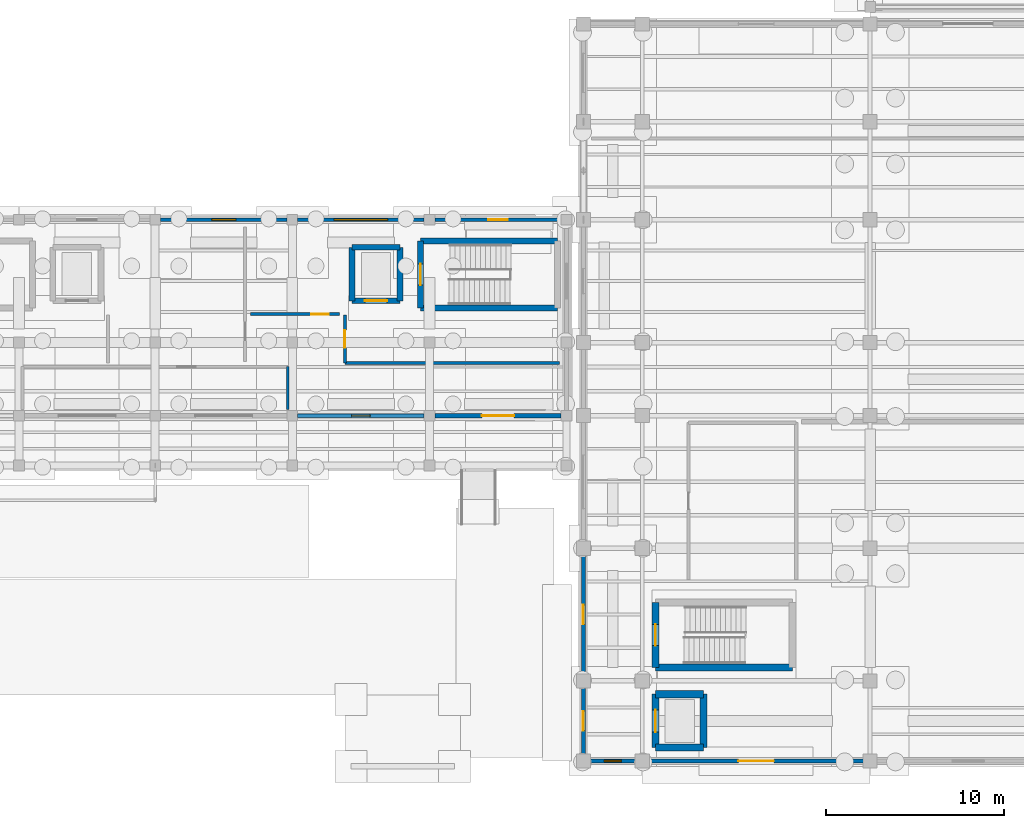
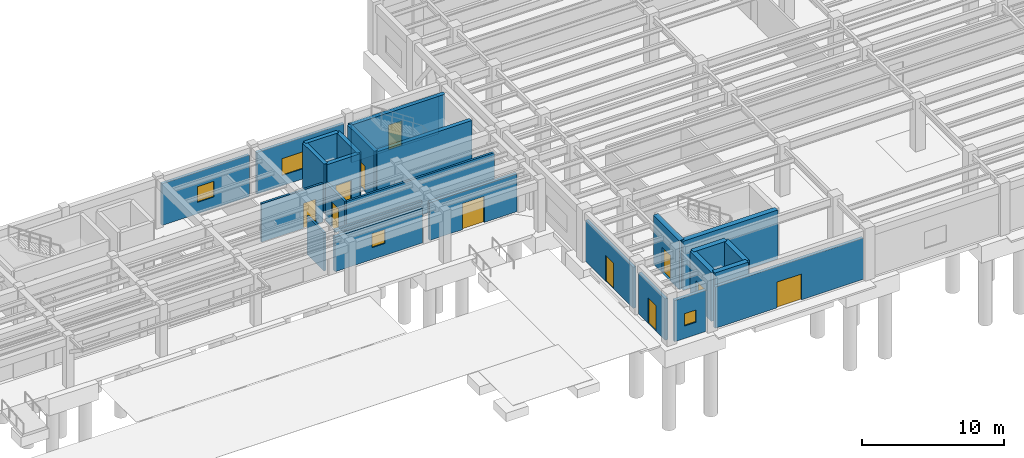
# One storey, part 31 of 41: 27 walls, 11 doors, 4 windows, 15 openings.
"""IFC4 building model written with IfcOpenShell, lengths in metres."""

from ifc_helpers import new_model, si_unit, direction, frame, frame_2d, origin, place, context, subcontext, project, spatial, rectangle, extrude, material, layer, layer_set, type_object, element, fill, save


model = new_model("IFC4")

# Units and contexts
model_context = context("Model", 3, precision=1e-05, world=origin(), true_north=direction((0.0, 1.0)))
body_context = subcontext(model_context, "Body", "Model", "MODEL_VIEW")
ifc_project = project(units=[si_unit("LENGTHUNIT", "METRE"), si_unit("AREAUNIT", "SQUARE_METRE"), si_unit("VOLUMEUNIT", "CUBIC_METRE"), si_unit("PLANEANGLEUNIT", "RADIAN"), si_unit("MASSUNIT", "GRAM", prefix="KILO")], contexts=[model_context])

# Site, building, storey
site_placement = place(None, origin())
site = spatial("IfcSite", under=ifc_project, at=site_placement, CompositionType="ELEMENT")
building_placement = place(site_placement, origin())
building = spatial("IfcBuilding", under=site, at=building_placement, Name="Candilejo Ridge Gondola Terminal", CompositionType="ELEMENT")
storey_placement = place(building_placement, origin())
storey = spatial("IfcBuildingStorey", under=building, at=storey_placement, Name="L00", CompositionType="ELEMENT", Elevation=0.0)

# Wall
ifc_material_1 = material(Name="Concrete C20/25 masonry blockwork (f'm 14 MPa)", Category="masonry")
ifc_layer_1 = layer(ifc_material_1, 0.195068359375)
ifc_layer_set_1 = layer_set([ifc_layer_1], Name="ARC-EXT-WALL-195")
wall_type_1 = type_object("IfcWallType", Name="ARC-EXT-WALL-195", PredefinedType="STANDARD", material=ifc_layer_set_1)
wall_1_placement = place(storey_placement, frame((124.949951171875, 25.699951171875, 3.35009765625), z_axis=(0.0, 0.0, 1.0), x_axis=(-1.0, 0.0, 0.0)))
element("IfcWall", 1, at=wall_1_placement, inside=storey, type_object=wall_type_1, Name="Upper lintel spandrel wall V3 L00-065", PredefinedType="STANDARD", context=body_context, shape_type="SweptSolid", body=[
    extrude(rectangle(XDim=7.099853515625, YDim=0.195068359375, at=frame_2d((3.5498046875, 0.0))), origin(), (0.0, 0.0, 1.0), 0.22998046875),
])

# Wall, opening, window
ifc_material_2 = material(Name="Concrete C20/25 masonry blockwork (f'm 14 MPa)", Category="masonry")
ifc_layer_2 = layer(ifc_material_2, 0.219970703125)
ifc_layer_set_2 = layer_set([ifc_layer_2], Name="ARC-EXT-WALL-220")
wall_type_2 = type_object("IfcWallType", Name="ARC-EXT-WALL-220", PredefinedType="STANDARD", material=ifc_layer_set_2)
wall_2_placement = place(storey_placement, frame((110.14990234375, 36.699951171875, 0.0), z_axis=(0.0, 0.0, 1.0), x_axis=(1.0, 0.0, 0.0)))
wall_2 = element("IfcWall", 2, at=wall_2_placement, inside=storey, type_object=wall_type_2, Name="Exterior facade wall EW-V3-L00-062", PredefinedType="STANDARD", context=body_context, shape_type="SweptSolid", body=[
    extrude(rectangle(XDim=7.10009765625, YDim=0.219970703125, at=frame_2d((3.550048828125, 0.0))), origin(), (0.0, 0.0, 1.0), 3.580078125),
])
opening_1_placement = place(wall_2_placement, frame((2.875, 0.0, 0.97998046875)))
opening_1 = element("IfcOpeningElement", 3, at=opening_1_placement, cuts=wall_2, Name="Opening WN-03C", PredefinedType="OPENING", context=body_context, shape_type="SweptSolid", body=[
    extrude(rectangle(XDim=1.35009765625, YDim=1.35009765625, at=frame_2d((0.675048828125, 0.675048828125))), frame((0.0, 0.119873046875, 0.0), z_axis=(0.0, -1.0, 0.0), x_axis=(1.0, 0.0, 0.0)), (0.0, 0.0, 1.0), 0.239990234375),
])
ifc_material_3 = material(Name="Low-E laminated double glazing 6+12A+6+1.52PVB+6 mm", Category="glass")
window_type_1 = type_object("IfcWindowType", Name="ARC-WIN-1350X1350", PartitioningType="SINGLE_PANEL", PredefinedType="WINDOW", material=ifc_material_3)
window_1_placement = place(opening_1_placement, origin())
window_1 = element("IfcWindow", 4, at=window_1_placement, inside=storey, type_object=window_type_1, Name="Window WIN-028", OverallHeight=1.35009765625, OverallWidth=1.35009765625, PartitioningType="SINGLE_PANEL", PredefinedType="WINDOW", context=body_context, shape_type="SweptSolid", body=[
    extrude(rectangle(XDim=1.35009765625, YDim=1.35009765625, at=frame_2d((0.675048828125, 0.675048828125))), frame((0.0, 0.030029296875, 0.0), z_axis=(0.0, -1.0, 0.0), x_axis=(1.0, 0.0, 0.0)), (0.0, 0.0, 1.0), 0.06005859375),
])
fill(opening_1, window_1)

wall_3_placement = place(storey_placement, frame((117.85009765625, 36.699951171875, 0.0), z_axis=(0.0, 0.0, 1.0), x_axis=(1.0, 0.0, 0.0)))
wall_3 = element("IfcWall", 5, at=wall_3_placement, inside=storey, type_object=wall_type_2, Name="Exterior facade wall EW-V3-L00-066", PredefinedType="STANDARD", context=body_context, shape_type="SweptSolid", body=[
    extrude(rectangle(XDim=7.099853515625, YDim=0.219970703125, at=frame_2d((3.5498046875, 0.0))), origin(), (0.0, 0.0, 1.0), 3.580078125),
])
opening_2_placement = place(wall_3_placement, frame((2.050048828125, 0.0, 0.8798828125)))
opening_2 = element("IfcOpeningElement", 6, at=opening_2_placement, cuts=wall_3, Name="Opening WN-05", PredefinedType="OPENING", context=body_context, shape_type="SweptSolid", body=[
    extrude(rectangle(XDim=3.0, YDim=1.449951171875, at=frame_2d((1.5, 0.72509765625))), frame((0.0, 0.119873046875, 0.0), z_axis=(0.0, -1.0, 0.0), x_axis=(1.0, 0.0, 0.0)), (0.0, 0.0, 1.0), 0.239990234375),
])
ifc_material_4 = material(Name="Low-E laminated double glazing 6+12A+6+1.52PVB+6 mm", Category="glass")
window_type_2 = type_object("IfcWindowType", Name="ARC-WIN-3000X1650", PartitioningType="SINGLE_PANEL", PredefinedType="WINDOW", material=ifc_material_4)
window_2_placement = place(opening_2_placement, origin())
window_2 = element("IfcWindow", 7, at=window_2_placement, inside=storey, type_object=window_type_2, Name="Window WIN-030", OverallHeight=1.449951171875, OverallWidth=3.0, PartitioningType="SINGLE_PANEL", PredefinedType="WINDOW", context=body_context, shape_type="SweptSolid", body=[
    extrude(rectangle(XDim=3.0, YDim=1.449951171875, at=frame_2d((1.5, 0.72509765625))), frame((0.0, 0.030029296875, 0.0), z_axis=(0.0, -1.0, 0.0), x_axis=(1.0, 0.0, 0.0)), (0.0, 0.0, 1.0), 0.06005859375),
])
fill(opening_2, window_2)

# Wall, opening, door
wall_4_placement = place(storey_placement, frame((125.550048828125, 36.699951171875, 0.0), z_axis=(0.0, 0.0, 1.0), x_axis=(1.0, 0.0, 0.0)))
wall_4 = element("IfcWall", 8, at=wall_4_placement, inside=storey, type_object=wall_type_2, Name="Exterior facade wall EW-V3-L00-069", PredefinedType="STANDARD", context=body_context, shape_type="SweptSolid", body=[
    extrude(rectangle(XDim=7.099853515625, YDim=0.219970703125, at=frame_2d((3.5498046875, 0.0))), origin(), (0.0, 0.0, 1.0), 3.239990234375),
])
opening_3_placement = place(wall_4_placement, frame((3.0, 0.0, 0.0)))
opening_3 = element("IfcOpeningElement", 9, at=opening_3_placement, cuts=wall_4, Name="Opening ED-03", PredefinedType="OPENING", context=body_context, shape_type="SweptSolid", body=[
    extrude(rectangle(XDim=1.10009765625, YDim=2.199951171875, at=frame_2d((0.550048828125, 1.10009765625))), frame((0.0, 0.119873046875, 0.0), z_axis=(0.0, -1.0, 0.0), x_axis=(1.0, 0.0, 0.0)), (0.0, 0.0, 1.0), 0.239990234375),
])
ifc_material_5 = material(Name="Anodised aluminium AA 6063-T6", Category="aluminium")
door_type_1 = type_object("IfcDoorType", Name="ARC-DOOR-EXT-SGL-1100", OperationType="NOTDEFINED", PredefinedType="DOOR", material=ifc_material_5)
door_1_placement = place(opening_3_placement, origin())
door_1 = element("IfcDoor", 10, at=door_1_placement, inside=storey, type_object=door_type_1, Name="Exterior door EDR-013", OperationType="SINGLE_SWING_LEFT", OverallHeight=2.199951171875, OverallWidth=1.10009765625, PredefinedType="DOOR", context=body_context, shape_type="SweptSolid", body=[
    extrude(rectangle(XDim=1.10009765625, YDim=2.199951171875, at=frame_2d((0.550048828125, 1.10009765625))), frame((0.0, 0.02490234375, 0.0), z_axis=(0.0, -1.0, 0.0), x_axis=(1.0, 0.0, 0.0)), (0.0, 0.0, 1.0), 0.050048828125),
])
fill(opening_3, door_1)

wall_5_placement = place(storey_placement, frame((133.89990234375, 6.675048828125, 0.0), z_axis=(0.0, 0.0, 1.0), x_axis=(0.0, 1.0, 0.0)))
wall_5 = element("IfcWall", 11, at=wall_5_placement, inside=storey, type_object=wall_type_2, Name="Exterior facade wall EW-V4-L00-099", PredefinedType="STANDARD", context=body_context, shape_type="SweptSolid", body=[
    extrude(rectangle(XDim=3.75, YDim=0.219970703125, at=frame_2d((1.875, 0.0))), origin(), (0.0, 0.0, 1.0), 3.544921875),
])
opening_4_placement = place(wall_5_placement, frame((1.324951171875, 0.0, 0.0)))
opening_4 = element("IfcOpeningElement", 12, at=opening_4_placement, cuts=wall_5, Name="Opening ED-03", PredefinedType="OPENING", context=body_context, shape_type="SweptSolid", body=[
    extrude(rectangle(XDim=1.10009765625, YDim=2.199951171875, at=frame_2d((0.550048828125, 1.10009765625))), frame((0.0, 0.119873046875, 0.0), z_axis=(0.0, -1.0, 0.0), x_axis=(1.0, 0.0, 0.0)), (0.0, 0.0, 1.0), 0.239990234375),
])
door_2_placement = place(opening_4_placement, origin())
door_2 = element("IfcDoor", 13, at=door_2_placement, inside=storey, type_object=door_type_1, Name="Exterior door EDR-017", OperationType="SINGLE_SWING_LEFT", OverallHeight=2.199951171875, OverallWidth=1.10009765625, PredefinedType="DOOR", context=body_context, shape_type="SweptSolid", body=[
    extrude(rectangle(XDim=1.10009765625, YDim=2.199951171875, at=frame_2d((0.550048828125, 1.10009765625))), frame((0.0, 0.02490234375, 0.0), z_axis=(0.0, -1.0, 0.0), x_axis=(1.0, 0.0, 0.0)), (0.0, 0.0, 1.0), 0.050048828125),
])
fill(opening_4, door_2)

wall_6_placement = place(storey_placement, frame((133.89990234375, 11.175048828125, 0.0), z_axis=(0.0, 0.0, 1.0), x_axis=(0.0, 1.0, 0.0)))
wall_6 = element("IfcWall", 14, at=wall_6_placement, inside=storey, type_object=wall_type_2, Name="Exterior facade wall EW-V4-L00-101", PredefinedType="STANDARD", context=body_context, shape_type="SweptSolid", body=[
    extrude(rectangle(XDim=6.699951171875, YDim=0.219970703125, at=frame_2d((3.35009765625, 0.0))), origin(), (0.0, 0.0, 1.0), 3.544921875),
])
opening_5_placement = place(wall_6_placement, frame((2.800048828125, 0.0, 0.0)))
opening_5 = element("IfcOpeningElement", 15, at=opening_5_placement, cuts=wall_6, Name="Opening ED-03", PredefinedType="OPENING", context=body_context, shape_type="SweptSolid", body=[
    extrude(rectangle(XDim=1.10009765625, YDim=2.199951171875, at=frame_2d((0.550048828125, 1.10009765625))), frame((0.0, 0.119873046875, 0.0), z_axis=(0.0, -1.0, 0.0), x_axis=(1.0, 0.0, 0.0)), (0.0, 0.0, 1.0), 0.239990234375),
])
door_3_placement = place(opening_5_placement, origin())
door_3 = element("IfcDoor", 16, at=door_3_placement, inside=storey, type_object=door_type_1, Name="Exterior door EDR-018", OperationType="SINGLE_SWING_RIGHT", OverallHeight=2.199951171875, OverallWidth=1.10009765625, PredefinedType="DOOR", context=body_context, shape_type="SweptSolid", body=[
    extrude(rectangle(XDim=1.10009765625, YDim=2.199951171875, at=frame_2d((0.550048828125, 1.10009765625))), frame((0.0, 0.02490234375, 0.0), z_axis=(0.0, -1.0, 0.0), x_axis=(1.0, 0.0, 0.0)), (0.0, 0.0, 1.0), 0.050048828125),
])
fill(opening_5, door_3)

# Wall, opening, window
ifc_material_6 = material(Name="Cream Guayaquil limestone ashlar masonry (f'm 14 MPa)", Category="masonry")
ifc_layer_3 = layer(ifc_material_6, 0.25)
ifc_layer_set_3 = layer_set([ifc_layer_3], Name="ARC-EXT-WALL-250")
wall_type_3 = type_object("IfcWallType", Name="ARC-EXT-WALL-250", PredefinedType="STANDARD", material=ifc_layer_set_3)
wall_7_placement = place(storey_placement, frame((124.949951171875, 25.699951171875, 0.0), z_axis=(0.0, 0.0, 1.0), x_axis=(-1.0, 0.0, 0.0)))
wall_7 = element("IfcWall", 17, at=wall_7_placement, inside=storey, type_object=wall_type_3, Name="Exterior facade wall EW-V3-L00-064", PredefinedType="STANDARD", context=body_context, shape_type="SweptSolid", body=[
    extrude(rectangle(XDim=7.099853515625, YDim=0.25, at=frame_2d((3.5498046875, 0.0))), origin(), (0.0, 0.0, 1.0), 2.985107421875),
])
opening_6_placement = place(wall_7_placement, frame((3.02490234375, 0.0, 1.02001953125)))
opening_6 = element("IfcOpeningElement", 18, at=opening_6_placement, cuts=wall_7, Name="Opening WN-04C", PredefinedType="OPENING", context=body_context, shape_type="SweptSolid", body=[
    extrude(rectangle(XDim=1.050048828125, YDim=1.199951171875, at=frame_2d((0.52490234375, 0.60009765625))), frame((0.0, 0.135009765625, 0.0), z_axis=(0.0, -1.0, 0.0), x_axis=(1.0, 0.0, 0.0)), (0.0, 0.0, 1.0), 0.27001953125),
])
ifc_material_7 = material(Name="Low-E laminated double glazing 6+12A+6+1.52PVB+6 mm", Category="glass")
window_type_3 = type_object("IfcWindowType", Name="ARC-WIN-1050X1200", PartitioningType="SINGLE_PANEL", PredefinedType="WINDOW", material=ifc_material_7)
window_3_placement = place(opening_6_placement, origin())
window_3 = element("IfcWindow", 19, at=window_3_placement, inside=storey, type_object=window_type_3, Name="Window WIN-029", OverallHeight=1.199951171875, OverallWidth=1.050048828125, PartitioningType="SINGLE_PANEL", PredefinedType="WINDOW", context=body_context, shape_type="SweptSolid", body=[
    extrude(rectangle(XDim=1.050048828125, YDim=1.199951171875, at=frame_2d((0.52490234375, 0.60009765625))), frame((0.0, 0.030029296875, 0.0), z_axis=(0.0, -1.0, 0.0), x_axis=(1.0, 0.0, 0.0)), (0.0, 0.0, 1.0), 0.06005859375),
])
fill(opening_6, window_3)

# Wall, opening, door
wall_8_placement = place(storey_placement, frame((132.64990234375, 25.699951171875, 0.0), z_axis=(0.0, 0.0, 1.0), x_axis=(-1.0, 0.0, 0.0)))
wall_8 = element("IfcWall", 20, at=wall_8_placement, inside=storey, type_object=wall_type_3, Name="Exterior facade wall EW-V3-L00-068", PredefinedType="STANDARD", context=body_context, shape_type="SweptSolid", body=[
    extrude(rectangle(XDim=7.099853515625, YDim=0.25, at=frame_2d((3.5498046875, 0.0))), origin(), (0.0, 0.0, 1.0), 3.239990234375),
])
opening_7_placement = place(wall_8_placement, frame((2.64990234375, 0.0, 0.0)))
opening_7 = element("IfcOpeningElement", 21, at=opening_7_placement, cuts=wall_8, Name="Opening ED-02", PredefinedType="OPENING", context=body_context, shape_type="SweptSolid", body=[
    extrude(rectangle(XDim=1.800048828125, YDim=2.25, at=frame_2d((0.89990234375, 1.125))), frame((0.0, 0.135009765625, 0.0), z_axis=(0.0, -1.0, 0.0), x_axis=(1.0, 0.0, 0.0)), (0.0, 0.0, 1.0), 0.27001953125),
])
ifc_material_8 = material(Name="Anodised aluminium AA 6063-T6", Category="aluminium")
door_type_2 = type_object("IfcDoorType", Name="ARC-DOOR-EXT-DBL-1800", OperationType="NOTDEFINED", PredefinedType="DOOR", material=ifc_material_8)
door_4_placement = place(opening_7_placement, origin())
door_4 = element("IfcDoor", 22, at=door_4_placement, inside=storey, type_object=door_type_2, Name="Exterior door EDR-012", OperationType="DOUBLE_DOOR_SINGLE_SWING", OverallHeight=2.25, OverallWidth=1.800048828125, PredefinedType="DOOR", context=body_context, shape_type="SweptSolid", body=[
    extrude(rectangle(XDim=1.800048828125, YDim=2.25, at=frame_2d((0.89990234375, 1.125))), frame((0.0, 0.02490234375, 0.0), z_axis=(0.0, -1.0, 0.0), x_axis=(1.0, 0.0, 0.0)), (0.0, 0.0, 1.0), 0.050048828125),
])
fill(opening_7, door_4)

# Wall, opening, window
wall_9_placement = place(storey_placement, frame((136.824951171875, 6.300048828125, 0.0), z_axis=(0.0, 0.0, 1.0), x_axis=(-1.0, 0.0, 0.0)))
wall_9 = element("IfcWall", 23, at=wall_9_placement, inside=storey, type_object=wall_type_3, Name="Exterior facade wall EW-V4-L00-089", PredefinedType="STANDARD", context=body_context, shape_type="SweptSolid", body=[
    extrude(rectangle(XDim=2.550048828125, YDim=0.25, at=frame_2d((1.27490234375, 0.0))), origin(), (0.0, 0.0, 1.0), 3.544921875),
])
opening_8_placement = place(wall_9_placement, frame((0.800048828125, 0.0, 1.080078125)))
opening_8 = element("IfcOpeningElement", 24, at=opening_8_placement, cuts=wall_9, Name="Opening WN-05F", PredefinedType="OPENING", context=body_context, shape_type="SweptSolid", body=[
    extrude(rectangle(XDim=0.949951171875, YDim=1.050048828125, at=frame_2d((0.47509765625, 0.52490234375))), frame((0.0, 0.135009765625, 0.0), z_axis=(0.0, -1.0, 0.0), x_axis=(1.0, 0.0, 0.0)), (0.0, 0.0, 1.0), 0.27001953125),
])
ifc_material_9 = material(Name="Low-E laminated double glazing 6+12A+6+1.52PVB+6 mm", Category="glass")
window_type_4 = type_object("IfcWindowType", Name="ARC-WIN-0950X1050", PartitioningType="SINGLE_PANEL", PredefinedType="WINDOW", material=ifc_material_9)
window_4_placement = place(opening_8_placement, origin())
window_4 = element("IfcWindow", 25, at=window_4_placement, inside=storey, type_object=window_type_4, Name="Window WIN-043", OverallHeight=1.050048828125, OverallWidth=0.949951171875, PartitioningType="SINGLE_PANEL", PredefinedType="WINDOW", context=body_context, shape_type="SweptSolid", body=[
    extrude(rectangle(XDim=0.949951171875, YDim=1.050048828125, at=frame_2d((0.47509765625, 0.52490234375))), frame((0.0, 0.030029296875, 0.0), z_axis=(0.0, -1.0, 0.0), x_axis=(1.0, 0.0, 0.0)), (0.0, 0.0, 1.0), 0.06005859375),
])
fill(opening_8, window_4)

# Wall, opening, door
wall_10_placement = place(storey_placement, frame((149.625, 6.300048828125, 0.0), z_axis=(0.0, 0.0, 1.0), x_axis=(-1.0, 0.0, 0.0)))
wall_10 = element("IfcWall", 26, at=wall_10_placement, inside=storey, type_object=wall_type_3, Name="Exterior facade wall EW-V4-L00-091", PredefinedType="STANDARD", context=body_context, shape_type="SweptSolid", body=[
    extrude(rectangle(XDim=12.050048828125, YDim=0.25, at=frame_2d((6.02490234375, 0.0))), origin(), (0.0, 0.0, 1.0), 3.544921875),
])
opening_9_placement = place(wall_10_placement, frame((5.02490234375, 0.0, 0.0)))
opening_9 = element("IfcOpeningElement", 27, at=opening_9_placement, cuts=wall_10, Name="Opening ED-01", PredefinedType="OPENING", context=body_context, shape_type="SweptSolid", body=[
    extrude(rectangle(XDim=2.0, YDim=2.219970703125, at=frame_2d((1.0, 1.10986328125))), frame((0.0, 0.135009765625, 0.0), z_axis=(0.0, -1.0, 0.0), x_axis=(1.0, 0.0, 0.0)), (0.0, 0.0, 1.0), 0.27001953125),
])
ifc_material_10 = material(Name="Anodised aluminium AA 6063-T6", Category="aluminium")
door_type_3 = type_object("IfcDoorType", Name="ARC-DOOR-EXT-DBL-2000", OperationType="NOTDEFINED", PredefinedType="DOOR", material=ifc_material_10)
door_5_placement = place(opening_9_placement, origin())
door_5 = element("IfcDoor", 28, at=door_5_placement, inside=storey, type_object=door_type_3, Name="Exterior door EDR-014", OperationType="DOUBLE_DOOR_SINGLE_SWING", OverallHeight=2.219970703125, OverallWidth=2.0, PredefinedType="DOOR", context=body_context, shape_type="SweptSolid", body=[
    extrude(rectangle(XDim=2.0, YDim=2.219970703125, at=frame_2d((1.0, 1.10986328125))), frame((0.0, 0.02490234375, 0.0), z_axis=(0.0, -1.0, 0.0), x_axis=(1.0, 0.0, 0.0)), (0.0, 0.0, 1.0), 0.050048828125),
])
fill(opening_9, door_5)

# Wall
ifc_material_11 = material(Name="Gypsum board Type X acoustic partition (2x15.9 mm)", Category="gypsum")
ifc_layer_4 = layer(ifc_material_11, 0.14990234375)
ifc_layer_set_4 = layer_set([ifc_layer_4], Name="ARC-PART-GYP150-EI60")
wall_type_4 = type_object("IfcWallType", Name="ARC-PART-GYP150-EI60", PredefinedType="PARTITIONING", material=ifc_layer_set_4)
wall_11_placement = place(storey_placement, frame((117.300048828125, 26.050048828125, 0.0), z_axis=(0.0, 0.0, 1.0), x_axis=(0.0, 1.0, 0.0)))
element("IfcWall", 29, at=wall_11_placement, inside=storey, type_object=wall_type_4, Name="Interior partition PT-V3-L00-0021", PredefinedType="PARTITIONING", context=body_context, shape_type="SweptSolid", body=[
    extrude(rectangle(XDim=2.39990234375, YDim=0.14990234375, at=frame_2d((1.199951171875, 0.0))), origin(), (0.0, 0.0, 1.0), 3.300048828125),
])

# Wall, opening, door
ifc_material_12 = material(Name="Concrete C20/25 masonry blockwork (f'm 14 MPa)", Category="masonry")
ifc_layer_5 = layer(ifc_material_12, 0.169921875)
ifc_layer_set_5 = layer_set([ifc_layer_5], Name="ARC-WALL-CMU170-EI90")
wall_type_5 = type_object("IfcWallType", Name="ARC-WALL-CMU170-EI90", PredefinedType="SOLIDWALL", material=ifc_layer_set_5)
wall_12_placement = place(storey_placement, frame((115.199951171875, 31.39990234375, 0.0), z_axis=(0.0, 0.0, 1.0), x_axis=(1.0, 0.0, 0.0)))
wall_12 = element("IfcWall", 30, at=wall_12_placement, inside=storey, type_object=wall_type_5, Name="Interior partition PT-V3-L00-0025", PredefinedType="SOLIDWALL", context=body_context, shape_type="SweptSolid", body=[
    extrude(rectangle(XDim=5.0, YDim=0.169921875, at=frame_2d((2.5, 0.0))), origin(), (0.0, 0.0, 1.0), 3.300048828125),
])
opening_10_placement = place(wall_12_placement, frame((3.39990234375, 0.0, 0.0)))
opening_10 = element("IfcOpeningElement", 31, at=opening_10_placement, cuts=wall_12, Name="Opening FD-02", PredefinedType="OPENING", context=body_context, shape_type="SweptSolid", body=[
    extrude(rectangle(XDim=1.0, YDim=2.14990234375, at=frame_2d((0.5, 1.074951171875))), frame((0.0, 0.094970703125, 0.0), z_axis=(0.0, -1.0, 0.0), x_axis=(1.0, 0.0, 0.0)), (0.0, 0.0, 1.0), 0.18994140625),
])
ifc_material_13 = material(Name="Steel ASTM A653 Grade 33 hollow-metal door", Category="steel")
door_type_4 = type_object("IfcDoorType", Name="ARC-DOOR-FD60-1000", OperationType="NOTDEFINED", PredefinedType="DOOR", material=ifc_material_13)
door_6_placement = place(opening_10_placement, origin())
door_6 = element("IfcDoor", 32, at=door_6_placement, inside=storey, type_object=door_type_4, Name="Interior door IDR-0014 (019)", OperationType="SINGLE_SWING_RIGHT", OverallHeight=2.14990234375, OverallWidth=1.0, PredefinedType="DOOR", context=body_context, shape_type="SweptSolid", body=[
    extrude(rectangle(XDim=1.0, YDim=2.14990234375, at=frame_2d((0.5, 1.074951171875))), frame((0.0, 0.02490234375, 0.0), z_axis=(0.0, -1.0, 0.0), x_axis=(1.0, 0.0, 0.0)), (0.0, 0.0, 1.0), 0.050048828125),
])
fill(opening_10, door_6)

wall_13_placement = place(storey_placement, frame((120.5, 28.64990234375, 0.0), z_axis=(0.0, 0.0, 1.0), x_axis=(0.0, 1.0, 0.0)))
wall_13 = element("IfcWall", 33, at=wall_13_placement, inside=storey, type_object=wall_type_5, Name="Interior partition PT-V3-L00-0026", PredefinedType="SOLIDWALL", context=body_context, shape_type="SweptSolid", body=[
    extrude(rectangle(XDim=2.7001953125, YDim=0.169921875, at=frame_2d((1.35009765625, 0.0))), origin(), (0.0, 0.0, 1.0), 3.300048828125),
])
opening_11_placement = place(wall_13_placement, frame((0.85009765625, 0.0, 0.0)))
opening_11 = element("IfcOpeningElement", 34, at=opening_11_placement, cuts=wall_13, Name="Opening FD-02", PredefinedType="OPENING", context=body_context, shape_type="SweptSolid", body=[
    extrude(rectangle(XDim=1.0, YDim=2.14990234375, at=frame_2d((0.5, 1.074951171875))), frame((0.0, 0.094970703125, 0.0), z_axis=(0.0, -1.0, 0.0), x_axis=(1.0, 0.0, 0.0)), (0.0, 0.0, 1.0), 0.18994140625),
])
door_7_placement = place(opening_11_placement, origin())
door_7 = element("IfcDoor", 35, at=door_7_placement, inside=storey, type_object=door_type_4, Name="Interior door IDR-0015 (020)", OperationType="SINGLE_SWING_LEFT", OverallHeight=2.14990234375, OverallWidth=1.0, PredefinedType="DOOR", context=body_context, shape_type="SweptSolid", body=[
    extrude(rectangle(XDim=1.0, YDim=2.14990234375, at=frame_2d((0.5, 1.074951171875))), frame((0.0, 0.02490234375, 0.0), z_axis=(0.0, -1.0, 0.0), x_axis=(1.0, 0.0, 0.0)), (0.0, 0.0, 1.0), 0.050048828125),
])
fill(opening_11, door_7)

# Walls
wall_14_placement = place(storey_placement, frame((120.5, 28.64990234375, 0.0), z_axis=(0.0, 0.0, 1.0), x_axis=(1.0, 0.0, 0.0)))
element("IfcWall", 36, at=wall_14_placement, inside=storey, type_object=wall_type_5, Name="Interior partition PT-V3-L00-0027", PredefinedType="SOLIDWALL", context=body_context, shape_type="SweptSolid", body=[
    extrude(rectangle(XDim=12.050048828125, YDim=0.169921875, at=frame_2d((6.02490234375, 0.0))), origin(), (0.0, 0.0, 1.0), 3.300048828125),
])
ifc_material_14 = material(Name="Concrete f'c 35 MPa (C35/45)", Category="concrete")
ifc_layer_6 = layer(ifc_material_14, 0.324951171875)
ifc_layer_set_6 = layer_set([ifc_layer_6], Name="STR-CORE-WALL-325")
wall_type_6 = type_object("IfcWallType", Name="STR-CORE-WALL-325", PredefinedType="SHEAR", material=ifc_layer_set_6)
for number, where, z_axis, x_axis, name in (
    (37, (132.449951171875, 31.75, 0.0), (0.0, 0.0, 1.0), (-1.0, 0.0, 0.0), "Core stair shear wall SW-C-V3B-L00-ST-S"),
    (38, (124.75, 35.5, 0.0), (0.0, 0.0, 1.0), (1.0, 0.0, 0.0), "Core stair shear wall SW-C-V3B-L00-ST-N"),
):
    element("IfcWall", number, at=place(storey_placement, frame(where, z_axis=z_axis, x_axis=x_axis)), inside=storey, type_object=wall_type_6, Name=name, PredefinedType="SHEAR", context=body_context, shape_type="SweptSolid", body=[
        extrude(rectangle(XDim=7.699951171875, YDim=0.324951171875, at=frame_2d((3.85009765625, 0.0))), origin(), (0.0, 0.0, 1.0), 4.260009765625),
    ])

# Wall, opening, door
wall_15_placement = place(storey_placement, frame((124.75, 31.75, 0.0), z_axis=(0.0, 0.0, 1.0), x_axis=(0.0, 1.0, 0.0)))
wall_15 = element("IfcWall", 39, at=wall_15_placement, inside=storey, type_object=wall_type_6, Name="Core stair shear wall SW-C-V3B-L00-ST-W", PredefinedType="SHEAR", context=body_context, shape_type="SweptSolid", body=[
    extrude(rectangle(XDim=3.75, YDim=0.324951171875, at=frame_2d((1.875, 0.0))), origin(), (0.0, 0.0, 1.0), 4.260009765625),
])
opening_12_placement = place(wall_15_placement, frame((1.27490234375, 0.0, 0.0)))
opening_12 = element("IfcOpeningElement", 40, at=opening_12_placement, cuts=wall_15, Name="Opening FD-01", PredefinedType="OPENING", context=body_context, shape_type="SweptSolid", body=[
    extrude(rectangle(XDim=1.199951171875, YDim=2.199951171875, at=frame_2d((0.60009765625, 1.10009765625))), frame((0.0, 0.17236328125, 0.0), z_axis=(0.0, -1.0, 0.0), x_axis=(1.0, 0.0, 0.0)), (0.0, 0.0, 1.0), 0.344970703125),
])
ifc_material_15 = material(Name="Steel ASTM A653 Grade 33 hollow-metal door", Category="steel")
door_type_5 = type_object("IfcDoorType", Name="ARC-DOOR-FD90-1200", OperationType="NOTDEFINED", PredefinedType="DOOR", material=ifc_material_15)
door_8_placement = place(opening_12_placement, origin())
door_8 = element("IfcDoor", 41, at=door_8_placement, inside=storey, type_object=door_type_5, Name="Fire stair door SDR-020", OperationType="SINGLE_SWING_RIGHT", OverallHeight=2.199951171875, OverallWidth=1.199951171875, PredefinedType="DOOR", context=body_context, shape_type="SweptSolid", body=[
    extrude(rectangle(XDim=1.199951171875, YDim=2.199951171875, at=frame_2d((0.60009765625, 1.10009765625))), frame((0.0, 0.02490234375, 0.0), z_axis=(0.0, -1.0, 0.0), x_axis=(1.0, 0.0, 0.0)), (0.0, 0.0, 1.0), 0.050048828125),
])
fill(opening_12, door_8)

wall_16_placement = place(storey_placement, frame((120.89990234375, 32.14990234375, 0.0), z_axis=(0.0, 0.0, 1.0), x_axis=(1.0, 0.0, 0.0)))
wall_16 = element("IfcWall", 42, at=wall_16_placement, inside=storey, type_object=wall_type_6, Name="Lift shaft shear wall SW-C-V3B-L00-LF-S", PredefinedType="SHEAR", context=body_context, shape_type="SweptSolid", body=[
    extrude(rectangle(XDim=2.7001953125, YDim=0.324951171875, at=frame_2d((1.35009765625, 0.0))), origin(), (0.0, 0.0, 1.0), 4.260009765625),
])
opening_13_placement = place(wall_16_placement, frame((0.72509765625, 0.0, 0.0)))
opening_13 = element("IfcOpeningElement", 43, at=opening_13_placement, cuts=wall_16, Name="Opening LD-01B", PredefinedType="OPENING", context=body_context, shape_type="SweptSolid", body=[
    extrude(rectangle(XDim=1.25, YDim=2.199951171875, at=frame_2d((0.625, 1.10009765625))), frame((0.0, 0.17236328125, 0.0), z_axis=(0.0, -1.0, 0.0), x_axis=(1.0, 0.0, 0.0)), (0.0, 0.0, 1.0), 0.344970703125),
])
ifc_material_16 = material(Name="Brushed stainless steel AISI 316", Category="steel")
door_type_6 = type_object("IfcDoorType", Name="ARC-LIFT-DOOR-1250", OperationType="NOTDEFINED", PredefinedType="DOOR", material=ifc_material_16)
door_9_placement = place(opening_13_placement, origin())
door_9 = element("IfcDoor", 44, at=door_9_placement, inside=storey, type_object=door_type_6, Name="Elevator landing door LDR-020", OperationType="SLIDING_TO_LEFT", OverallHeight=2.199951171875, OverallWidth=1.25, PredefinedType="DOOR", context=body_context, shape_type="SweptSolid", body=[
    extrude(rectangle(XDim=1.25, YDim=2.199951171875, at=frame_2d((0.625, 1.10009765625))), frame((0.0, 0.02490234375, 0.0), z_axis=(0.0, -1.0, 0.0), x_axis=(1.0, 0.0, 0.0)), (0.0, 0.0, 1.0), 0.050048828125),
])
fill(opening_13, door_9)

# Walls
wall_17_placement = place(storey_placement, frame((120.89990234375, 35.14990234375, 0.0), z_axis=(0.0, 0.0, 1.0), x_axis=(1.0, 0.0, 0.0)))
element("IfcWall", 45, at=wall_17_placement, inside=storey, type_object=wall_type_6, Name="Lift shaft shear wall SW-C-V3B-L00-LF-N", PredefinedType="SHEAR", context=body_context, shape_type="SweptSolid", body=[
    extrude(rectangle(XDim=2.7001953125, YDim=0.324951171875, at=frame_2d((1.35009765625, 0.0))), origin(), (0.0, 0.0, 1.0), 4.260009765625),
])
for number, where, z_axis, x_axis, name in (
    (46, (120.89990234375, 32.14990234375, 0.0), (0.0, 0.0, 1.0), (0.0, 1.0, 0.0), "Lift shaft shear wall SW-C-V3B-L00-LF-W"),
    (47, (123.60009765625, 32.14990234375, 0.0), (0.0, 0.0, 1.0), (0.0, 1.0, 0.0), "Lift shaft shear wall SW-C-V3B-L00-LF-E"),
):
    element("IfcWall", number, at=place(storey_placement, frame(where, z_axis=z_axis, x_axis=x_axis)), inside=storey, type_object=wall_type_6, Name=name, PredefinedType="SHEAR", context=body_context, shape_type="SweptSolid", body=[
        extrude(rectangle(XDim=3.0, YDim=0.324951171875, at=frame_2d((1.5, 0.0))), origin(), (0.0, 0.0, 1.0), 4.260009765625),
    ])
ifc_material_17 = material(Name="Concrete f'c 35 MPa (C35/45)", Category="concrete")
ifc_layer_7 = layer(ifc_material_17, 0.39990234375)
ifc_layer_set_7 = layer_set([ifc_layer_7], Name="STR-CORE-WALL-400")
wall_type_7 = type_object("IfcWallType", Name="STR-CORE-WALL-400", PredefinedType="SHEAR", material=ifc_layer_set_7)
wall_18_placement = place(storey_placement, frame((145.64990234375, 11.550048828125, 0.0), z_axis=(0.0, 0.0, 1.0), x_axis=(-1.0, 0.0, 0.0)))
element("IfcWall", 48, at=wall_18_placement, inside=storey, type_object=wall_type_7, Name="Core stair shear wall SW-C-V4A-L00-ST-S", PredefinedType="SHEAR", context=body_context, shape_type="SweptSolid", body=[
    extrude(rectangle(XDim=7.699951171875, YDim=0.39990234375, at=frame_2d((3.85009765625, 0.0))), origin(), (0.0, 0.0, 1.0), 4.215087890625),
])

# Wall, opening, door
wall_19_placement = place(storey_placement, frame((137.949951171875, 11.550048828125, 0.0), z_axis=(0.0, 0.0, 1.0), x_axis=(0.0, 1.0, 0.0)))
wall_19 = element("IfcWall", 49, at=wall_19_placement, inside=storey, type_object=wall_type_7, Name="Core stair shear wall SW-C-V4A-L00-ST-W", PredefinedType="SHEAR", context=body_context, shape_type="SweptSolid", body=[
    extrude(rectangle(XDim=3.64990234375, YDim=0.39990234375, at=frame_2d((1.824951171875, 0.0))), origin(), (0.0, 0.0, 1.0), 4.215087890625),
])
opening_14_placement = place(wall_19_placement, frame((1.22509765625, 0.0, 0.0)))
opening_14 = element("IfcOpeningElement", 50, at=opening_14_placement, cuts=wall_19, Name="Opening FD-01", PredefinedType="OPENING", context=body_context, shape_type="SweptSolid", body=[
    extrude(rectangle(XDim=1.199951171875, YDim=2.199951171875, at=frame_2d((0.60009765625, 1.10009765625))), frame((0.0, 0.2099609375, 0.0), z_axis=(0.0, -1.0, 0.0), x_axis=(1.0, 0.0, 0.0)), (0.0, 0.0, 1.0), 0.419921875),
])
door_10_placement = place(opening_14_placement, origin())
door_10 = element("IfcDoor", 51, at=door_10_placement, inside=storey, type_object=door_type_5, Name="Fire stair door SDR-025", OperationType="SINGLE_SWING_LEFT", OverallHeight=2.199951171875, OverallWidth=1.199951171875, PredefinedType="DOOR", context=body_context, shape_type="SweptSolid", body=[
    extrude(rectangle(XDim=1.199951171875, YDim=2.199951171875, at=frame_2d((0.60009765625, 1.10009765625))), frame((0.0, 0.02490234375, 0.0), z_axis=(0.0, -1.0, 0.0), x_axis=(1.0, 0.0, 0.0)), (0.0, 0.0, 1.0), 0.050048828125),
])
fill(opening_14, door_10)

# Walls
for number, where, z_axis, x_axis, name in (
    (52, (137.949951171875, 7.050048828125, 0.0), (0.0, 0.0, 1.0), (1.0, 0.0, 0.0), "Lift shaft shear wall SW-C-V4A-L00-LF-S"),
    (53, (137.949951171875, 10.050048828125, 0.0), (0.0, 0.0, 1.0), (1.0, 0.0, 0.0), "Lift shaft shear wall SW-C-V4A-L00-LF-N"),
):
    element("IfcWall", number, at=place(storey_placement, frame(where, z_axis=z_axis, x_axis=x_axis)), inside=storey, type_object=wall_type_7, Name=name, PredefinedType="SHEAR", context=body_context, shape_type="SweptSolid", body=[
        extrude(rectangle(XDim=2.699951171875, YDim=0.39990234375, at=frame_2d((1.35009765625, 0.0))), origin(), (0.0, 0.0, 1.0), 4.215087890625),
    ])

# Wall, opening, door
wall_20_placement = place(storey_placement, frame((137.949951171875, 7.050048828125, 0.0), z_axis=(0.0, 0.0, 1.0), x_axis=(0.0, 1.0, 0.0)))
wall_20 = element("IfcWall", 54, at=wall_20_placement, inside=storey, type_object=wall_type_7, Name="Lift shaft shear wall SW-C-V4A-L00-LF-W", PredefinedType="SHEAR", context=body_context, shape_type="SweptSolid", body=[
    extrude(rectangle(XDim=3.0, YDim=0.39990234375, at=frame_2d((1.5, 0.0))), origin(), (0.0, 0.0, 1.0), 4.215087890625),
])
opening_15_placement = place(wall_20_placement, frame((0.875, 0.0, 0.0)))
opening_15 = element("IfcOpeningElement", 55, at=opening_15_placement, cuts=wall_20, Name="Opening LD-01B", PredefinedType="OPENING", context=body_context, shape_type="SweptSolid", body=[
    extrude(rectangle(XDim=1.25, YDim=2.199951171875, at=frame_2d((0.625, 1.10009765625))), frame((0.0, 0.2099609375, 0.0), z_axis=(0.0, -1.0, 0.0), x_axis=(1.0, 0.0, 0.0)), (0.0, 0.0, 1.0), 0.419921875),
])
door_11_placement = place(opening_15_placement, origin())
door_11 = element("IfcDoor", 56, at=door_11_placement, inside=storey, type_object=door_type_6, Name="Elevator landing door LDR-025", OperationType="SLIDING_TO_LEFT", OverallHeight=2.199951171875, OverallWidth=1.25, PredefinedType="DOOR", context=body_context, shape_type="SweptSolid", body=[
    extrude(rectangle(XDim=1.25, YDim=2.199951171875, at=frame_2d((0.625, 1.10009765625))), frame((0.0, 0.02490234375, 0.0), z_axis=(0.0, -1.0, 0.0), x_axis=(1.0, 0.0, 0.0)), (0.0, 0.0, 1.0), 0.050048828125),
])
fill(opening_15, door_11)

# Wall
wall_21_placement = place(storey_placement, frame((140.64990234375, 7.050048828125, 0.0), z_axis=(0.0, 0.0, 1.0), x_axis=(0.0, 1.0, 0.0)))
element("IfcWall", 57, at=wall_21_placement, inside=storey, type_object=wall_type_7, Name="Lift shaft shear wall SW-C-V4A-L00-LF-E", PredefinedType="SHEAR", context=body_context, shape_type="SweptSolid", body=[
    extrude(rectangle(XDim=3.0, YDim=0.39990234375, at=frame_2d((1.5, 0.0))), origin(), (0.0, 0.0, 1.0), 4.215087890625),
])

save(model, "model.ifc")
